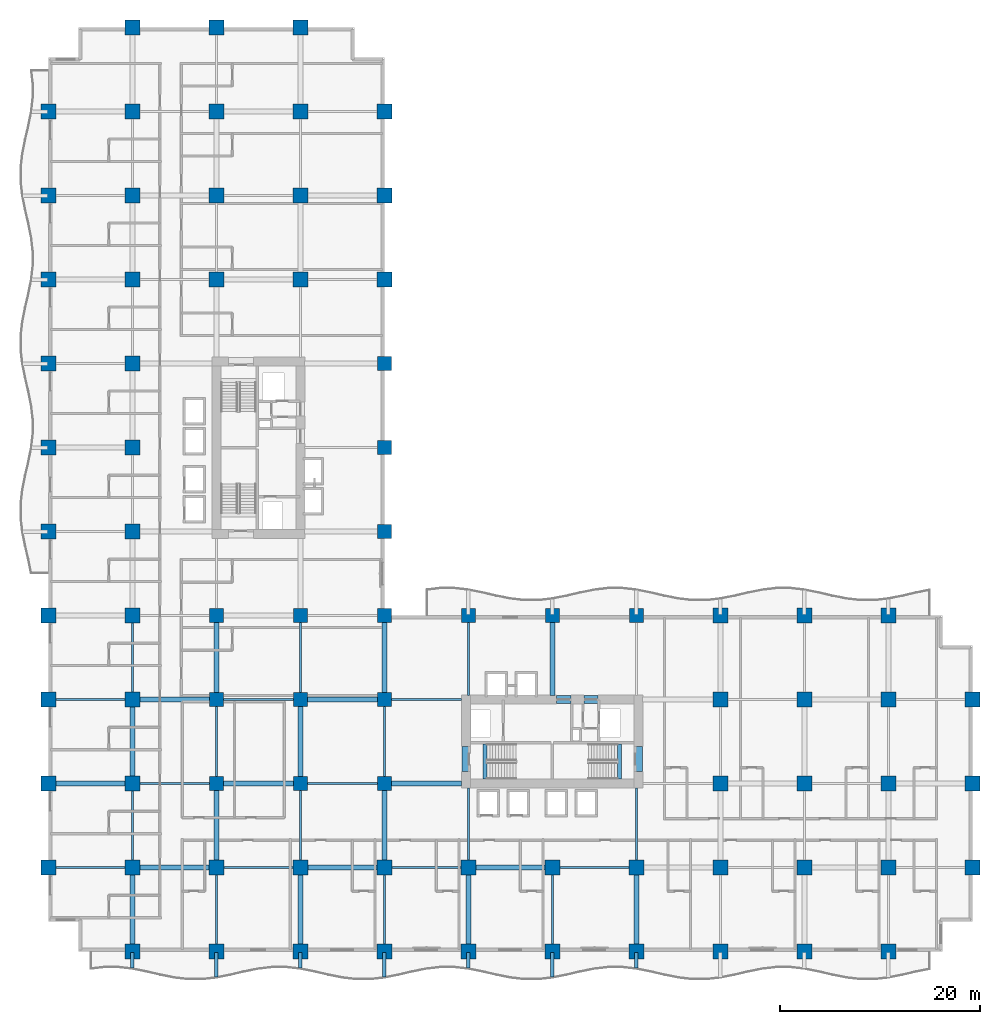
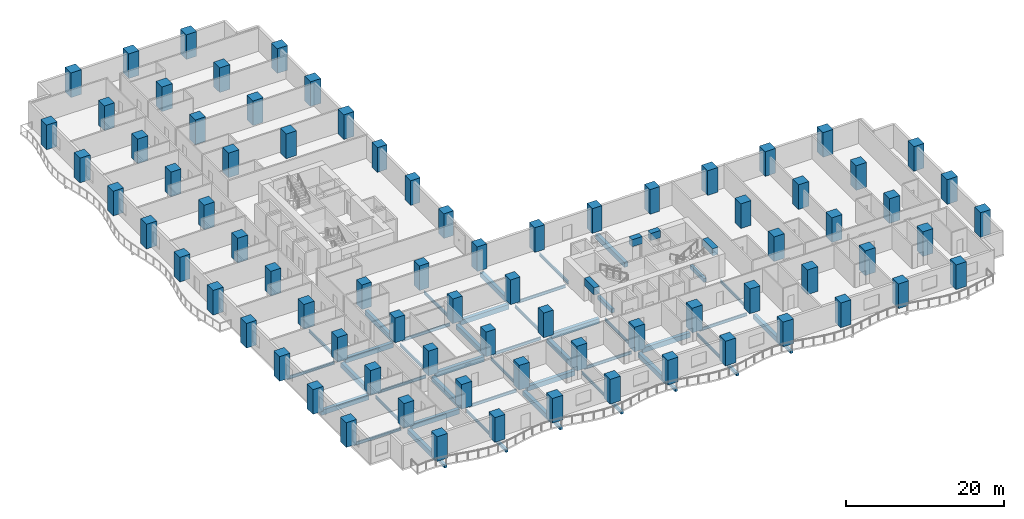
# One storey, part 1 of 20: 78 columns, 53 beams.
"""IFC4 building model written with IfcOpenShell, lengths in metres."""

from ifc_helpers import new_model, si_unit, direction, frame, origin, origin_2d, place, context, subcontext, project, spatial, rectangle, i_section, extrude, material, material_profile, profile_set, type_object, element, save


model = new_model("IFC4")

# Units and contexts
model_context = context("Model", 3, precision=1e-05, world=origin(), true_north=direction((0.0, 1.0)))
body_context = subcontext(model_context, "Body", "Model", "MODEL_VIEW")
ifc_project = project(units=[si_unit("LENGTHUNIT", "METRE"), si_unit("AREAUNIT", "SQUARE_METRE"), si_unit("VOLUMEUNIT", "CUBIC_METRE"), si_unit("PLANEANGLEUNIT", "RADIAN"), si_unit("MASSUNIT", "GRAM", prefix="KILO")], contexts=[model_context])

# Site, building, storey
site_placement = place(None, origin())
site = spatial("IfcSite", under=ifc_project, at=site_placement, CompositionType="ELEMENT")
building_placement = place(site_placement, origin())
building = spatial("IfcBuilding", under=site, at=building_placement, Name="Koriwani Terraces Tower", CompositionType="ELEMENT")
storey_placement = place(building_placement, frame((0.0, 0.0, 35.800048828125)))
storey = spatial("IfcBuildingStorey", under=building, at=storey_placement, Name="L07", CompositionType="ELEMENT", Elevation=35.800048828125)

# Columns
ifc_material_1 = material(Name="Concrete C60/75", Category="concrete")
ifc_material_profile_1 = material_profile(ifc_material_1, rectangle(XDim=1.39990234375, YDim=1.39990234375, at=origin_2d()), Name="Concrete C60/75", Category="LoadBearing")
ifc_profile_set_1 = profile_set([ifc_material_profile_1], Name="Concrete C60/75")
column_type_1 = type_object("IfcColumnType", Name="COL_RC_1400X1400", PredefinedType="COLUMN", material=ifc_profile_set_1)
for number, where, z_axis, x_axis, name in (
    (1, (16.800048828125, 16.800048828125, 0.0), (0.0, 0.0, 1.0), (1.0, 0.0, 0.0), "L07 Column 3/C"),
    (2, (16.800048828125, 25.199951171875, 0.0), (0.0, 0.0, 1.0), (1.0, 0.0, 0.0), "L07 Column 3/D"),
    (3, (16.800048828125, 33.60009765625, 0.0), (0.0, 0.0, 1.0), (1.0, 0.0, 0.0), "L07 Column 3/E"),
    (4, (25.199951171875, 16.800048828125, 0.0), (0.0, 0.0, 1.0), (1.0, 0.0, 0.0), "L07 Column 4/C"),
    (5, (25.199951171875, 25.199951171875, 0.0), (0.0, 0.0, 1.0), (1.0, 0.0, 0.0), "L07 Column 4/D"),
    (6, (25.199951171875, 33.60009765625, 0.0), (0.0, 0.0, 1.0), (1.0, 0.0, 0.0), "L07 Column 4/E"),
    (7, (33.60009765625, 16.800048828125, 0.0), (0.0, 0.0, 1.0), (1.0, 0.0, 0.0), "L07 Column 5/C"),
    (8, (33.60009765625, 25.199951171875, 0.0), (0.0, 0.0, 1.0), (1.0, 0.0, 0.0), "L07 Column 5/D"),
    (9, (33.60009765625, 33.60009765625, 0.0), (0.0, 0.0, 1.0), (1.0, 0.0, 0.0), "L07 Column 5/E"),
    (10, (33.60009765625, 42.0, 0.0), (0.0, 0.0, 1.0), (1.0, 0.0, 0.0), "L07 Column 5/F"),
    (11, (33.60009765625, 50.39990234375, 0.0), (0.0, 0.0, 1.0), (1.0, 0.0, 0.0), "L07 Column 5/G"),
    (12, (33.60009765625, 58.800048828125, 0.0), (0.0, 0.0, 1.0), (1.0, 0.0, 0.0), "L07 Column 5/H"),
    (13, (42.0, 33.60009765625, 0.0), (0.0, 0.0, 1.0), (1.0, 0.0, 0.0), "L07 Column 6/E"),
    (14, (50.39990234375, 33.60009765625, 0.0), (0.0, 0.0, 1.0), (1.0, 0.0, 0.0), "L07 Column 7/E"),
    (15, (58.800048828125, 33.60009765625, 0.0), (0.0, 0.0, 1.0), (1.0, 0.0, 0.0), "L07 Column 8/E"),
):
    element("IfcColumn", number, at=place(storey_placement, frame(where, z_axis=z_axis, x_axis=x_axis)), inside=storey, type_object=column_type_1, Name=name, PredefinedType="COLUMN", context=body_context, shape_type="SweptSolid", body=[
        extrude(rectangle(XDim=1.39990234375, YDim=1.39990234375, at=origin_2d()), origin(), (0.0, 0.0, 1.0), 3.800048828125),
    ])
ifc_material_profile_2 = material_profile(ifc_material_1, rectangle(XDim=1.5, YDim=1.5, at=origin_2d()), Name="Concrete C60/75", Category="LoadBearing")
ifc_profile_set_2 = profile_set([ifc_material_profile_2], Name="Concrete C60/75")
column_type_2 = type_object("IfcColumnType", Name="COL_RC_1500X1500", PredefinedType="COLUMN", material=ifc_profile_set_2)
for number, where, z_axis, x_axis, name in (
    (16, (0.0, 8.39990234375, 0.0), (0.0, 0.0, 1.0), (1.0, 0.0, 0.0), "L07 Column 1/B"),
    (17, (0.0, 16.800048828125, 0.0), (0.0, 0.0, 1.0), (1.0, 0.0, 0.0), "L07 Column 1/C"),
    (18, (0.0, 25.199951171875, 0.0), (0.0, 0.0, 1.0), (1.0, 0.0, 0.0), "L07 Column 1/D"),
    (19, (0.0, 33.60009765625, 0.0), (0.0, 0.0, 1.0), (1.0, 0.0, 0.0), "L07 Column 1/E"),
    (20, (0.0, 42.0, 0.0), (0.0, 0.0, 1.0), (1.0, 0.0, 0.0), "L07 Column 1/F"),
    (21, (0.0, 50.39990234375, 0.0), (0.0, 0.0, 1.0), (1.0, 0.0, 0.0), "L07 Column 1/G"),
    (22, (0.0, 58.800048828125, 0.0), (0.0, 0.0, 1.0), (1.0, 0.0, 0.0), "L07 Column 1/H"),
    (23, (0.0, 67.199951171875, 0.0), (0.0, 0.0, 1.0), (1.0, 0.0, 0.0), "L07 Column 1/I"),
    (24, (0.0, 75.60009765625, 0.0), (0.0, 0.0, 1.0), (1.0, 0.0, 0.0), "L07 Column 1/J"),
    (25, (0.0, 84.0, 0.0), (0.0, 0.0, 1.0), (1.0, 0.0, 0.0), "L07 Column 1/K"),
    (26, (8.39990234375, 0.0, 0.0), (0.0, 0.0, 1.0), (1.0, 0.0, 0.0), "L07 Column 2/A"),
    (27, (8.39990234375, 8.39990234375, 0.0), (0.0, 0.0, 1.0), (1.0, 0.0, 0.0), "L07 Column 2/B"),
    (28, (8.39990234375, 16.800048828125, 0.0), (0.0, 0.0, 1.0), (1.0, 0.0, 0.0), "L07 Column 2/C"),
    (29, (8.39990234375, 25.199951171875, 0.0), (0.0, 0.0, 1.0), (1.0, 0.0, 0.0), "L07 Column 2/D"),
    (30, (8.39990234375, 33.60009765625, 0.0), (0.0, 0.0, 1.0), (1.0, 0.0, 0.0), "L07 Column 2/E"),
    (31, (8.39990234375, 42.0, 0.0), (0.0, 0.0, 1.0), (1.0, 0.0, 0.0), "L07 Column 2/F"),
    (32, (8.39990234375, 50.39990234375, 0.0), (0.0, 0.0, 1.0), (1.0, 0.0, 0.0), "L07 Column 2/G"),
    (33, (8.39990234375, 58.800048828125, 0.0), (0.0, 0.0, 1.0), (1.0, 0.0, 0.0), "L07 Column 2/H"),
    (34, (8.39990234375, 67.199951171875, 0.0), (0.0, 0.0, 1.0), (1.0, 0.0, 0.0), "L07 Column 2/I"),
    (35, (8.39990234375, 75.60009765625, 0.0), (0.0, 0.0, 1.0), (1.0, 0.0, 0.0), "L07 Column 2/J"),
    (36, (8.39990234375, 84.0, 0.0), (0.0, 0.0, 1.0), (1.0, 0.0, 0.0), "L07 Column 2/K"),
    (37, (8.39990234375, 92.39990234375, 0.0), (0.0, 0.0, 1.0), (1.0, 0.0, 0.0), "L07 Column 2/L"),
    (38, (16.800048828125, 0.0, 0.0), (0.0, 0.0, 1.0), (1.0, 0.0, 0.0), "L07 Column 3/A"),
    (39, (16.800048828125, 8.39990234375, 0.0), (0.0, 0.0, 1.0), (1.0, 0.0, 0.0), "L07 Column 3/B"),
    (40, (16.800048828125, 67.199951171875, 0.0), (0.0, 0.0, 1.0), (1.0, 0.0, 0.0), "L07 Column 3/I"),
    (41, (16.800048828125, 75.60009765625, 0.0), (0.0, 0.0, 1.0), (1.0, 0.0, 0.0), "L07 Column 3/J"),
    (42, (16.800048828125, 84.0, 0.0), (0.0, 0.0, 1.0), (1.0, 0.0, 0.0), "L07 Column 3/K"),
    (43, (16.800048828125, 92.39990234375, 0.0), (0.0, 0.0, 1.0), (1.0, 0.0, 0.0), "L07 Column 3/L"),
    (44, (25.199951171875, 0.0, 0.0), (0.0, 0.0, 1.0), (1.0, 0.0, 0.0), "L07 Column 4/A"),
    (45, (25.199951171875, 8.39990234375, 0.0), (0.0, 0.0, 1.0), (1.0, 0.0, 0.0), "L07 Column 4/B"),
    (46, (25.199951171875, 67.199951171875, 0.0), (0.0, 0.0, 1.0), (1.0, 0.0, 0.0), "L07 Column 4/I"),
    (47, (25.199951171875, 75.60009765625, 0.0), (0.0, 0.0, 1.0), (1.0, 0.0, 0.0), "L07 Column 4/J"),
    (48, (25.199951171875, 84.0, 0.0), (0.0, 0.0, 1.0), (1.0, 0.0, 0.0), "L07 Column 4/K"),
    (49, (25.199951171875, 92.39990234375, 0.0), (0.0, 0.0, 1.0), (1.0, 0.0, 0.0), "L07 Column 4/L"),
    (50, (33.60009765625, 0.0, 0.0), (0.0, 0.0, 1.0), (1.0, 0.0, 0.0), "L07 Column 5/A"),
    (51, (33.60009765625, 8.39990234375, 0.0), (0.0, 0.0, 1.0), (1.0, 0.0, 0.0), "L07 Column 5/B"),
    (52, (33.60009765625, 67.199951171875, 0.0), (0.0, 0.0, 1.0), (1.0, 0.0, 0.0), "L07 Column 5/I"),
    (53, (33.60009765625, 75.60009765625, 0.0), (0.0, 0.0, 1.0), (1.0, 0.0, 0.0), "L07 Column 5/J"),
    (54, (33.60009765625, 84.0, 0.0), (0.0, 0.0, 1.0), (1.0, 0.0, 0.0), "L07 Column 5/K"),
    (55, (42.0, 0.0, 0.0), (0.0, 0.0, 1.0), (1.0, 0.0, 0.0), "L07 Column 6/A"),
    (56, (42.0, 8.39990234375, 0.0), (0.0, 0.0, 1.0), (1.0, 0.0, 0.0), "L07 Column 6/B"),
    (57, (50.39990234375, 0.0, 0.0), (0.0, 0.0, 1.0), (1.0, 0.0, 0.0), "L07 Column 7/A"),
    (58, (50.39990234375, 8.39990234375, 0.0), (0.0, 0.0, 1.0), (1.0, 0.0, 0.0), "L07 Column 7/B"),
    (59, (58.800048828125, 0.0, 0.0), (0.0, 0.0, 1.0), (1.0, 0.0, 0.0), "L07 Column 8/A"),
    (60, (58.800048828125, 8.39990234375, 0.0), (0.0, 0.0, 1.0), (1.0, 0.0, 0.0), "L07 Column 8/B"),
    (61, (67.199951171875, 0.0, 0.0), (0.0, 0.0, 1.0), (1.0, 0.0, 0.0), "L07 Column 9/A"),
    (62, (67.199951171875, 8.39990234375, 0.0), (0.0, 0.0, 1.0), (1.0, 0.0, 0.0), "L07 Column 9/B"),
    (63, (67.199951171875, 16.800048828125, 0.0), (0.0, 0.0, 1.0), (1.0, 0.0, 0.0), "L07 Column 9/C"),
    (64, (67.199951171875, 25.199951171875, 0.0), (0.0, 0.0, 1.0), (1.0, 0.0, 0.0), "L07 Column 9/D"),
    (65, (67.199951171875, 33.60009765625, 0.0), (0.0, 0.0, 1.0), (1.0, 0.0, 0.0), "L07 Column 9/E"),
    (66, (75.60009765625, 0.0, 0.0), (0.0, 0.0, 1.0), (1.0, 0.0, 0.0), "L07 Column 10/A"),
    (67, (75.60009765625, 8.39990234375, 0.0), (0.0, 0.0, 1.0), (1.0, 0.0, 0.0), "L07 Column 10/B"),
    (68, (75.60009765625, 16.800048828125, 0.0), (0.0, 0.0, 1.0), (1.0, 0.0, 0.0), "L07 Column 10/C"),
    (69, (75.60009765625, 25.199951171875, 0.0), (0.0, 0.0, 1.0), (1.0, 0.0, 0.0), "L07 Column 10/D"),
    (70, (75.60009765625, 33.60009765625, 0.0), (0.0, 0.0, 1.0), (1.0, 0.0, 0.0), "L07 Column 10/E"),
    (71, (84.0, 0.0, 0.0), (0.0, 0.0, 1.0), (1.0, 0.0, 0.0), "L07 Column 11/A"),
    (72, (84.0, 8.39990234375, 0.0), (0.0, 0.0, 1.0), (1.0, 0.0, 0.0), "L07 Column 11/B"),
    (73, (84.0, 16.800048828125, 0.0), (0.0, 0.0, 1.0), (1.0, 0.0, 0.0), "L07 Column 11/C"),
    (74, (84.0, 25.199951171875, 0.0), (0.0, 0.0, 1.0), (1.0, 0.0, 0.0), "L07 Column 11/D"),
    (75, (84.0, 33.60009765625, 0.0), (0.0, 0.0, 1.0), (1.0, 0.0, 0.0), "L07 Column 11/E"),
    (76, (92.39990234375, 8.39990234375, 0.0), (0.0, 0.0, 1.0), (1.0, 0.0, 0.0), "L07 Column 12/B"),
    (77, (92.39990234375, 16.800048828125, 0.0), (0.0, 0.0, 1.0), (1.0, 0.0, 0.0), "L07 Column 12/C"),
    (78, (92.39990234375, 25.199951171875, 0.0), (0.0, 0.0, 1.0), (1.0, 0.0, 0.0), "L07 Column 12/D"),
):
    element("IfcColumn", number, at=place(storey_placement, frame(where, z_axis=z_axis, x_axis=x_axis)), inside=storey, type_object=column_type_2, Name=name, PredefinedType="COLUMN", context=body_context, shape_type="SweptSolid", body=[
        extrude(rectangle(XDim=1.5, YDim=1.5, at=origin_2d()), origin(), (0.0, 0.0, 1.0), 3.800048828125),
    ])

# Beams
ifc_material_2 = material(Name="Concrete C40/50", Category="concrete")
ifc_material_profile_3 = material_profile(ifc_material_2, rectangle(XDim=0.35009765625, YDim=0.449951171875, at=origin_2d()), Name="Concrete C40/50", Category="LoadBearing")
ifc_profile_set_3 = profile_set([ifc_material_profile_3], Name="Concrete C40/50")
beam_type_1 = type_object("IfcBeamType", Name="BEAM_RC_BALCONY_RIB_350X450", PredefinedType="JOIST", material=ifc_profile_set_3)
beam_1_placement = place(storey_placement, frame((8.39990234375, -1.633056640625, -0.47509765625), z_axis=(0.0, 1.0, 0.0), x_axis=(-1.0, 0.0, 0.0)))
element("IfcBeam", 79, at=beam_1_placement, inside=storey, type_object=beam_type_1, Name="L07 Balcony Bracket Rib S-1", PredefinedType="JOIST", context=body_context, shape_type="SweptSolid", body=[
    extrude(rectangle(XDim=0.35009765625, YDim=0.449951171875, at=origin_2d()), origin(), (0.0, 0.0, 1.0), 1.532958984375),
])
beam_2_placement = place(storey_placement, frame((16.800048828125, -2.516845703125, -0.47509765625), z_axis=(0.0, 1.0, 0.0), x_axis=(-1.0, 0.0, 0.0)))
element("IfcBeam", 80, at=beam_2_placement, inside=storey, type_object=beam_type_1, Name="L07 Balcony Bracket Rib S-2", PredefinedType="JOIST", context=body_context, shape_type="SweptSolid", body=[
    extrude(rectangle(XDim=0.35009765625, YDim=0.449951171875, at=origin_2d()), origin(), (0.0, 0.0, 1.0), 2.416748046875),
])
beam_3_placement = place(storey_placement, frame((25.199951171875, -1.633056640625, -0.47509765625), z_axis=(0.0, 1.0, 0.0), x_axis=(-1.0, 0.0, 0.0)))
element("IfcBeam", 81, at=beam_3_placement, inside=storey, type_object=beam_type_1, Name="L07 Balcony Bracket Rib S-3", PredefinedType="JOIST", context=body_context, shape_type="SweptSolid", body=[
    extrude(rectangle(XDim=0.35009765625, YDim=0.449951171875, at=origin_2d()), origin(), (0.0, 0.0, 1.0), 1.532958984375),
])
beam_4_placement = place(storey_placement, frame((33.60009765625, -2.516845703125, -0.47509765625), z_axis=(0.0, 1.0, 0.0), x_axis=(-1.0, 0.0, 0.0)))
element("IfcBeam", 82, at=beam_4_placement, inside=storey, type_object=beam_type_1, Name="L07 Balcony Bracket Rib S-4", PredefinedType="JOIST", context=body_context, shape_type="SweptSolid", body=[
    extrude(rectangle(XDim=0.35009765625, YDim=0.449951171875, at=origin_2d()), origin(), (0.0, 0.0, 1.0), 2.416748046875),
])
beam_5_placement = place(storey_placement, frame((42.0, -1.633056640625, -0.47509765625), z_axis=(0.0, 1.0, 0.0), x_axis=(-1.0, 0.0, 0.0)))
element("IfcBeam", 83, at=beam_5_placement, inside=storey, type_object=beam_type_1, Name="L07 Balcony Bracket Rib S-5", PredefinedType="JOIST", context=body_context, shape_type="SweptSolid", body=[
    extrude(rectangle(XDim=0.35009765625, YDim=0.449951171875, at=origin_2d()), origin(), (0.0, 0.0, 1.0), 1.532958984375),
])
beam_6_placement = place(storey_placement, frame((50.39990234375, -2.516845703125, -0.47509765625), z_axis=(0.0, 1.0, 0.0), x_axis=(-1.0, 0.0, 0.0)))
element("IfcBeam", 84, at=beam_6_placement, inside=storey, type_object=beam_type_1, Name="L07 Balcony Bracket Rib S-6", PredefinedType="JOIST", context=body_context, shape_type="SweptSolid", body=[
    extrude(rectangle(XDim=0.35009765625, YDim=0.449951171875, at=origin_2d()), origin(), (0.0, 0.0, 1.0), 2.416748046875),
])
beam_7_placement = place(storey_placement, frame((58.800048828125, -1.633056640625, -0.47509765625), z_axis=(0.0, 1.0, 0.0), x_axis=(-1.0, 0.0, 0.0)))
element("IfcBeam", 85, at=beam_7_placement, inside=storey, type_object=beam_type_1, Name="L07 Balcony Bracket Rib S-7", PredefinedType="JOIST", context=body_context, shape_type="SweptSolid", body=[
    extrude(rectangle(XDim=0.35009765625, YDim=0.449951171875, at=origin_2d()), origin(), (0.0, 0.0, 1.0), 1.532958984375),
])
ifc_material_profile_4 = material_profile(ifc_material_1, rectangle(XDim=0.800048828125, YDim=1.10009765625, at=origin_2d()), Name="Concrete C60/75", Category="LoadBearing")
ifc_profile_set_4 = profile_set([ifc_material_profile_4], Name="Concrete C60/75")
beam_type_2 = type_object("IfcBeamType", Name="BEAM_RC_COUPLING_800X1100", PredefinedType="LINTEL", material=ifc_profile_set_4)
beam_8_placement = place(storey_placement, frame((50.800048828125, 25.199951171875, 3.0), z_axis=(1.0, 0.0, 0.0), x_axis=(0.0, 1.0, 0.0)))
element("IfcBeam", 86, at=beam_8_placement, inside=storey, type_object=beam_type_2, Name="L07 Core Coupling Lintel Beam EN1", PredefinedType="LINTEL", context=body_context, shape_type="SweptSolid", body=[
    extrude(rectangle(XDim=0.800048828125, YDim=1.10009765625, at=origin_2d()), origin(), (0.0, 0.0, 1.0), 1.47998046875),
])
beam_9_placement = place(storey_placement, frame((53.550048828125, 25.199951171875, 3.0), z_axis=(1.0, 0.0, 0.0), x_axis=(0.0, 1.0, 0.0)))
element("IfcBeam", 87, at=beam_9_placement, inside=storey, type_object=beam_type_2, Name="L07 Core Coupling Lintel Beam EN2", PredefinedType="LINTEL", context=body_context, shape_type="SweptSolid", body=[
    extrude(rectangle(XDim=0.800048828125, YDim=1.10009765625, at=origin_2d()), origin(), (0.0, 0.0, 1.0), 1.39990234375),
])
for number, where, z_axis, x_axis, name in (
    (88, (41.75, 18.0, 3.0), (0.0, 1.0, 0.0), (-1.0, 0.0, 0.0), "L07 Core Coupling Lintel Beam EW"),
    (89, (59.0, 18.0, 3.0), (0.0, 1.0, 0.0), (-1.0, 0.0, 0.0), "L07 Core Coupling Lintel Beam EE"),
):
    element("IfcBeam", number, at=place(storey_placement, frame(where, z_axis=z_axis, x_axis=x_axis)), inside=storey, type_object=beam_type_2, Name=name, PredefinedType="LINTEL", context=body_context, shape_type="SweptSolid", body=[
        extrude(rectangle(XDim=0.800048828125, YDim=1.10009765625, at=origin_2d()), origin(), (0.0, 0.0, 1.0), 2.5),
    ])
ifc_material_profile_5 = material_profile(ifc_material_2, rectangle(XDim=0.39990234375, YDim=0.60009765625, at=origin_2d()), Name="Concrete C40/50", Category="LoadBearing")
ifc_profile_set_5 = profile_set([ifc_material_profile_5], Name="Concrete C40/50")
beam_type_3 = type_object("IfcBeamType", Name="BEAM_RC_GRID_400X600", PredefinedType="BEAM", material=ifc_profile_set_5)
for number, where, z_axis, x_axis, name in (
    (90, (43.655029296875, 17.25, -0.300048828125), (0.0, 1.0, 0.0), (-1.0, 0.0, 0.0), "L07 Stairwell Header Trimmer Beam ST-E1"),
    (91, (57.094970703125, 17.25, -0.300048828125), (0.0, 1.0, 0.0), (-1.0, 0.0, 0.0), "L07 Stairwell Header Trimmer Beam ST-E2"),
):
    element("IfcBeam", number, at=place(storey_placement, frame(where, z_axis=z_axis, x_axis=x_axis)), inside=storey, type_object=beam_type_3, Name=name, PredefinedType="BEAM", context=body_context, shape_type="SweptSolid", body=[
        extrude(rectangle(XDim=0.39990234375, YDim=0.60009765625, at=origin_2d()), origin(), (0.0, 0.0, 1.0), 3.5),
    ])
ifc_material_3 = material(Name="Concrete C50/60", Category="concrete")
ifc_material_profile_6 = material_profile(ifc_material_3, rectangle(XDim=0.5, YDim=0.75, at=origin_2d()), Name="Concrete C50/60", Category="LoadBearing")
ifc_profile_set_6 = profile_set([ifc_material_profile_6], Name="Concrete C50/60")
beam_type_4 = type_object("IfcBeamType", Name="BEAM_RC_GRID_500X750", PredefinedType="BEAM", material=ifc_profile_set_6)
for number, where, z_axis, x_axis, name in (
    (92, (9.1298828125, 8.39990234375, -0.625), (1.0, 0.0, 0.0), (0.0, 1.0, 0.0), "L07 Grid Beam B (8.4-16.8m)"),
    (93, (25.929931640625, 8.39990234375, -0.625), (1.0, 0.0, 0.0), (0.0, 1.0, 0.0), "L07 Grid Beam B (25.2-33.6m)"),
):
    element("IfcBeam", number, at=place(storey_placement, frame(where, z_axis=z_axis, x_axis=x_axis)), inside=storey, type_object=beam_type_4, Name=name, PredefinedType="BEAM", context=body_context, shape_type="SweptSolid", body=[
        extrude(rectangle(XDim=0.5, YDim=0.75, at=origin_2d()), origin(), (0.0, 0.0, 1.0), 6.940185546875),
    ])
for number, where, z_axis, x_axis, name in (
    (94, (42.72998046875, 8.39990234375, -0.625), (1.0, 0.0, 0.0), (0.0, 1.0, 0.0), "L07 Grid Beam B (42.0-50.4m)"),
    (95, (0.72998046875, 16.800048828125, -0.625), (1.0, 0.0, 0.0), (0.0, 1.0, 0.0), "L07 Grid Beam C (0.0-8.4m)"),
):
    element("IfcBeam", number, at=place(storey_placement, frame(where, z_axis=z_axis, x_axis=x_axis)), inside=storey, type_object=beam_type_4, Name=name, PredefinedType="BEAM", context=body_context, shape_type="SweptSolid", body=[
        extrude(rectangle(XDim=0.5, YDim=0.75, at=origin_2d()), origin(), (0.0, 0.0, 1.0), 6.93994140625),
    ])
for number, where, z_axis, x_axis, name in (
    (96, (17.47998046875, 16.800048828125, -0.625), (1.0, 0.0, 0.0), (0.0, 1.0, 0.0), "L07 Grid Beam C (16.8-25.2m)"),
    (97, (34.280029296875, 16.800048828125, -0.625), (1.0, 0.0, 0.0), (0.0, 1.0, 0.0), "L07 Grid Beam C (33.6-42.0m)"),
):
    element("IfcBeam", number, at=place(storey_placement, frame(where, z_axis=z_axis, x_axis=x_axis)), inside=storey, type_object=beam_type_4, Name=name, PredefinedType="BEAM", context=body_context, shape_type="SweptSolid", body=[
        extrude(rectangle(XDim=0.5, YDim=0.75, at=origin_2d()), origin(), (0.0, 0.0, 1.0), 7.0400390625),
    ])
beam_10_placement = place(storey_placement, frame((9.1298828125, 25.199951171875, -0.625), z_axis=(1.0, 0.0, 0.0), x_axis=(0.0, 1.0, 0.0)))
element("IfcBeam", 98, at=beam_10_placement, inside=storey, type_object=beam_type_4, Name="L07 Grid Beam D (8.4-16.8m)", PredefinedType="BEAM", context=body_context, shape_type="SweptSolid", body=[
    extrude(rectangle(XDim=0.5, YDim=0.75, at=origin_2d()), origin(), (0.0, 0.0, 1.0), 6.990234375),
])
beam_11_placement = place(storey_placement, frame((25.8798828125, 25.199951171875, -0.625), z_axis=(1.0, 0.0, 0.0), x_axis=(0.0, 1.0, 0.0)))
element("IfcBeam", 99, at=beam_11_placement, inside=storey, type_object=beam_type_4, Name="L07 Grid Beam D (25.2-33.6m)", PredefinedType="BEAM", context=body_context, shape_type="SweptSolid", body=[
    extrude(rectangle(XDim=0.5, YDim=0.75, at=origin_2d()), origin(), (0.0, 0.0, 1.0), 7.0400390625),
])
for number, where, z_axis, x_axis, name in (
    (100, (8.39990234375, 0.72998046875, -0.625), (0.0, 1.0, 0.0), (-1.0, 0.0, 0.0), "L07 Grid Beam 2 (0.0-8.4m)"),
    (101, (8.39990234375, 17.530029296875, -0.625), (0.0, 1.0, 0.0), (-1.0, 0.0, 0.0), "L07 Grid Beam 2 (16.8-25.2m)"),
):
    element("IfcBeam", number, at=place(storey_placement, frame(where, z_axis=z_axis, x_axis=x_axis)), inside=storey, type_object=beam_type_4, Name=name, PredefinedType="BEAM", context=body_context, shape_type="SweptSolid", body=[
        extrude(rectangle(XDim=0.5, YDim=0.75, at=origin_2d()), origin(), (0.0, 0.0, 1.0), 6.93994140625),
    ])
beam_12_placement = place(storey_placement, frame((16.800048828125, 9.1298828125, -0.625), z_axis=(0.0, 1.0, 0.0), x_axis=(-1.0, 0.0, 0.0)))
element("IfcBeam", 102, at=beam_12_placement, inside=storey, type_object=beam_type_4, Name="L07 Grid Beam 3 (8.4-16.8m)", PredefinedType="BEAM", context=body_context, shape_type="SweptSolid", body=[
    extrude(rectangle(XDim=0.5, YDim=0.75, at=origin_2d()), origin(), (0.0, 0.0, 1.0), 6.990234375),
])
beam_13_placement = place(storey_placement, frame((16.800048828125, 25.8798828125, -0.625), z_axis=(0.0, 1.0, 0.0), x_axis=(-1.0, 0.0, 0.0)))
element("IfcBeam", 103, at=beam_13_placement, inside=storey, type_object=beam_type_4, Name="L07 Grid Beam 3 (25.2-33.6m)", PredefinedType="BEAM", context=body_context, shape_type="SweptSolid", body=[
    extrude(rectangle(XDim=0.5, YDim=0.75, at=origin_2d()), origin(), (0.0, 0.0, 1.0), 7.0400390625),
])
beam_14_placement = place(storey_placement, frame((25.199951171875, 0.72998046875, -0.625), z_axis=(0.0, 1.0, 0.0), x_axis=(-1.0, 0.0, 0.0)))
element("IfcBeam", 104, at=beam_14_placement, inside=storey, type_object=beam_type_4, Name="L07 Grid Beam 4 (0.0-8.4m)", PredefinedType="BEAM", context=body_context, shape_type="SweptSolid", body=[
    extrude(rectangle(XDim=0.5, YDim=0.75, at=origin_2d()), origin(), (0.0, 0.0, 1.0), 6.93994140625),
])
beam_15_placement = place(storey_placement, frame((25.199951171875, 17.47998046875, -0.625), z_axis=(0.0, 1.0, 0.0), x_axis=(-1.0, 0.0, 0.0)))
element("IfcBeam", 105, at=beam_15_placement, inside=storey, type_object=beam_type_4, Name="L07 Grid Beam 4 (16.8-25.2m)", PredefinedType="BEAM", context=body_context, shape_type="SweptSolid", body=[
    extrude(rectangle(XDim=0.5, YDim=0.75, at=origin_2d()), origin(), (0.0, 0.0, 1.0), 7.0400390625),
])
beam_16_placement = place(storey_placement, frame((33.60009765625, 9.1298828125, -0.625), z_axis=(0.0, 1.0, 0.0), x_axis=(-1.0, 0.0, 0.0)))
element("IfcBeam", 106, at=beam_16_placement, inside=storey, type_object=beam_type_4, Name="L07 Grid Beam 5 (8.4-16.8m)", PredefinedType="BEAM", context=body_context, shape_type="SweptSolid", body=[
    extrude(rectangle(XDim=0.5, YDim=0.75, at=origin_2d()), origin(), (0.0, 0.0, 1.0), 6.990234375),
])
beam_17_placement = place(storey_placement, frame((33.60009765625, 25.8798828125, -0.625), z_axis=(0.0, 1.0, 0.0), x_axis=(-1.0, 0.0, 0.0)))
element("IfcBeam", 107, at=beam_17_placement, inside=storey, type_object=beam_type_4, Name="L07 Grid Beam 5 (25.2-33.6m)", PredefinedType="BEAM", context=body_context, shape_type="SweptSolid", body=[
    extrude(rectangle(XDim=0.5, YDim=0.75, at=origin_2d()), origin(), (0.0, 0.0, 1.0), 7.0400390625),
])
beam_18_placement = place(storey_placement, frame((42.0, 0.72998046875, -0.625), z_axis=(0.0, 1.0, 0.0), x_axis=(-1.0, 0.0, 0.0)))
element("IfcBeam", 108, at=beam_18_placement, inside=storey, type_object=beam_type_4, Name="L07 Grid Beam 6 (0.0-8.4m)", PredefinedType="BEAM", context=body_context, shape_type="SweptSolid", body=[
    extrude(rectangle(XDim=0.5, YDim=0.75, at=origin_2d()), origin(), (0.0, 0.0, 1.0), 6.93994140625),
])
beam_19_placement = place(storey_placement, frame((50.39990234375, 25.6298828125, -0.625), z_axis=(0.0, 1.0, 0.0), x_axis=(-1.0, 0.0, 0.0)))
element("IfcBeam", 109, at=beam_19_placement, inside=storey, type_object=beam_type_4, Name="L07 Grid Beam 7 (25.2-33.6m)", PredefinedType="BEAM", context=body_context, shape_type="SweptSolid", body=[
    extrude(rectangle(XDim=0.5, YDim=0.75, at=origin_2d()), origin(), (0.0, 0.0, 1.0), 7.2900390625),
])
beam_20_placement = place(storey_placement, frame((58.800048828125, 0.72998046875, -0.625), z_axis=(0.0, 1.0, 0.0), x_axis=(-1.0, 0.0, 0.0)))
element("IfcBeam", 110, at=beam_20_placement, inside=storey, type_object=beam_type_4, Name="L07 Grid Beam 8 (0.0-8.4m)", PredefinedType="BEAM", context=body_context, shape_type="SweptSolid", body=[
    extrude(rectangle(XDim=0.5, YDim=0.75, at=origin_2d()), origin(), (0.0, 0.0, 1.0), 6.93994140625),
])
ifc_material_4 = material(Name="Steel ASTM A572 Grade 50", Category="steel")
ifc_material_profile_7 = material_profile(ifc_material_4, i_section(OverallWidth=0.19189453125, OverallDepth=0.462890625, WebThickness=0.010498046875, FlangeThickness=0.01611328125, at=origin_2d()), Name="Steel ASTM A572 Grade 50", Category="LoadBearing")
ifc_profile_set_7 = profile_set([ifc_material_profile_7], Name="Steel ASTM A572 Grade 50")
beam_type_5 = type_object("IfcBeamType", Name="STEEL_BEAM_W460X89", PredefinedType="BEAM", material=ifc_profile_set_7)
for number, where, z_axis, x_axis, name in (
    (111, (0.72998046875, 8.39990234375, -0.4814453125), (1.0, 0.0, 0.0), (0.0, 1.0, 0.0), "L07 Grid Beam B (0.0-8.4m)"),
    (112, (17.530029296875, 8.39990234375, -0.4814453125), (1.0, 0.0, 0.0), (0.0, 1.0, 0.0), "L07 Grid Beam B (16.8-25.2m)"),
    (113, (34.330078125, 8.39990234375, -0.4814453125), (1.0, 0.0, 0.0), (0.0, 1.0, 0.0), "L07 Grid Beam B (33.6-42.0m)"),
):
    element("IfcBeam", number, at=place(storey_placement, frame(where, z_axis=z_axis, x_axis=x_axis)), inside=storey, type_object=beam_type_5, Name=name, PredefinedType="BEAM", context=body_context, shape_type="SweptSolid", body=[
        extrude(i_section(OverallWidth=0.19189453125, OverallDepth=0.462890625, WebThickness=0.010498046875, FlangeThickness=0.01611328125, at=origin_2d()), origin(), (0.0, 0.0, 1.0), 6.93994140625),
    ])
beam_21_placement = place(storey_placement, frame((51.1298828125, 8.39990234375, -0.4814453125), z_axis=(1.0, 0.0, 0.0), x_axis=(0.0, 1.0, 0.0)))
element("IfcBeam", 114, at=beam_21_placement, inside=storey, type_object=beam_type_5, Name="L07 Grid Beam B (50.4-58.8m)", PredefinedType="BEAM", context=body_context, shape_type="SweptSolid", body=[
    extrude(i_section(OverallWidth=0.19189453125, OverallDepth=0.462890625, WebThickness=0.010498046875, FlangeThickness=0.01611328125, at=origin_2d()), origin(), (0.0, 0.0, 1.0), 6.940185546875),
])
beam_22_placement = place(storey_placement, frame((9.1298828125, 16.800048828125, -0.4814453125), z_axis=(1.0, 0.0, 0.0), x_axis=(0.0, 1.0, 0.0)))
element("IfcBeam", 115, at=beam_22_placement, inside=storey, type_object=beam_type_5, Name="L07 Grid Beam C (8.4-16.8m)", PredefinedType="BEAM", context=body_context, shape_type="SweptSolid", body=[
    extrude(i_section(OverallWidth=0.19189453125, OverallDepth=0.462890625, WebThickness=0.010498046875, FlangeThickness=0.01611328125, at=origin_2d()), origin(), (0.0, 0.0, 1.0), 6.990234375),
])
beam_23_placement = place(storey_placement, frame((25.8798828125, 16.800048828125, -0.4814453125), z_axis=(1.0, 0.0, 0.0), x_axis=(0.0, 1.0, 0.0)))
element("IfcBeam", 116, at=beam_23_placement, inside=storey, type_object=beam_type_5, Name="L07 Grid Beam C (25.2-33.6m)", PredefinedType="BEAM", context=body_context, shape_type="SweptSolid", body=[
    extrude(i_section(OverallWidth=0.19189453125, OverallDepth=0.462890625, WebThickness=0.010498046875, FlangeThickness=0.01611328125, at=origin_2d()), origin(), (0.0, 0.0, 1.0), 7.0400390625),
])
beam_24_placement = place(storey_placement, frame((0.72998046875, 25.199951171875, -0.4814453125), z_axis=(1.0, 0.0, 0.0), x_axis=(0.0, 1.0, 0.0)))
element("IfcBeam", 117, at=beam_24_placement, inside=storey, type_object=beam_type_5, Name="L07 Grid Beam D (0.0-8.4m)", PredefinedType="BEAM", context=body_context, shape_type="SweptSolid", body=[
    extrude(i_section(OverallWidth=0.19189453125, OverallDepth=0.462890625, WebThickness=0.010498046875, FlangeThickness=0.01611328125, at=origin_2d()), origin(), (0.0, 0.0, 1.0), 6.93994140625),
])
for number, where, z_axis, x_axis, name in (
    (118, (17.47998046875, 25.199951171875, -0.4814453125), (1.0, 0.0, 0.0), (0.0, 1.0, 0.0), "L07 Grid Beam D (16.8-25.2m)"),
    (119, (34.280029296875, 25.199951171875, -0.4814453125), (1.0, 0.0, 0.0), (0.0, 1.0, 0.0), "L07 Grid Beam D (33.6-42.0m)"),
):
    element("IfcBeam", number, at=place(storey_placement, frame(where, z_axis=z_axis, x_axis=x_axis)), inside=storey, type_object=beam_type_5, Name=name, PredefinedType="BEAM", context=body_context, shape_type="SweptSolid", body=[
        extrude(i_section(OverallWidth=0.19189453125, OverallDepth=0.462890625, WebThickness=0.010498046875, FlangeThickness=0.01611328125, at=origin_2d()), origin(), (0.0, 0.0, 1.0), 7.0400390625),
    ])
for number, where, z_axis, x_axis, name in (
    (120, (8.39990234375, 9.1298828125, -0.4814453125), (0.0, 1.0, 0.0), (-1.0, 0.0, 0.0), "L07 Grid Beam 2 (8.4-16.8m)"),
    (121, (8.39990234375, 25.929931640625, -0.4814453125), (0.0, 1.0, 0.0), (-1.0, 0.0, 0.0), "L07 Grid Beam 2 (25.2-33.6m)"),
):
    element("IfcBeam", number, at=place(storey_placement, frame(where, z_axis=z_axis, x_axis=x_axis)), inside=storey, type_object=beam_type_5, Name=name, PredefinedType="BEAM", context=body_context, shape_type="SweptSolid", body=[
        extrude(i_section(OverallWidth=0.19189453125, OverallDepth=0.462890625, WebThickness=0.010498046875, FlangeThickness=0.01611328125, at=origin_2d()), origin(), (0.0, 0.0, 1.0), 6.940185546875),
    ])
beam_25_placement = place(storey_placement, frame((16.800048828125, 0.72998046875, -0.4814453125), z_axis=(0.0, 1.0, 0.0), x_axis=(-1.0, 0.0, 0.0)))
element("IfcBeam", 122, at=beam_25_placement, inside=storey, type_object=beam_type_5, Name="L07 Grid Beam 3 (0.0-8.4m)", PredefinedType="BEAM", context=body_context, shape_type="SweptSolid", body=[
    extrude(i_section(OverallWidth=0.19189453125, OverallDepth=0.462890625, WebThickness=0.010498046875, FlangeThickness=0.01611328125, at=origin_2d()), origin(), (0.0, 0.0, 1.0), 6.93994140625),
])
beam_26_placement = place(storey_placement, frame((16.800048828125, 17.47998046875, -0.4814453125), z_axis=(0.0, 1.0, 0.0), x_axis=(-1.0, 0.0, 0.0)))
element("IfcBeam", 123, at=beam_26_placement, inside=storey, type_object=beam_type_5, Name="L07 Grid Beam 3 (16.8-25.2m)", PredefinedType="BEAM", context=body_context, shape_type="SweptSolid", body=[
    extrude(i_section(OverallWidth=0.19189453125, OverallDepth=0.462890625, WebThickness=0.010498046875, FlangeThickness=0.01611328125, at=origin_2d()), origin(), (0.0, 0.0, 1.0), 7.0400390625),
])
beam_27_placement = place(storey_placement, frame((25.199951171875, 9.1298828125, -0.4814453125), z_axis=(0.0, 1.0, 0.0), x_axis=(-1.0, 0.0, 0.0)))
element("IfcBeam", 124, at=beam_27_placement, inside=storey, type_object=beam_type_5, Name="L07 Grid Beam 4 (8.4-16.8m)", PredefinedType="BEAM", context=body_context, shape_type="SweptSolid", body=[
    extrude(i_section(OverallWidth=0.19189453125, OverallDepth=0.462890625, WebThickness=0.010498046875, FlangeThickness=0.01611328125, at=origin_2d()), origin(), (0.0, 0.0, 1.0), 6.990234375),
])
beam_28_placement = place(storey_placement, frame((25.199951171875, 25.8798828125, -0.4814453125), z_axis=(0.0, 1.0, 0.0), x_axis=(-1.0, 0.0, 0.0)))
element("IfcBeam", 125, at=beam_28_placement, inside=storey, type_object=beam_type_5, Name="L07 Grid Beam 4 (25.2-33.6m)", PredefinedType="BEAM", context=body_context, shape_type="SweptSolid", body=[
    extrude(i_section(OverallWidth=0.19189453125, OverallDepth=0.462890625, WebThickness=0.010498046875, FlangeThickness=0.01611328125, at=origin_2d()), origin(), (0.0, 0.0, 1.0), 7.0400390625),
])
beam_29_placement = place(storey_placement, frame((33.60009765625, 0.72998046875, -0.4814453125), z_axis=(0.0, 1.0, 0.0), x_axis=(-1.0, 0.0, 0.0)))
element("IfcBeam", 126, at=beam_29_placement, inside=storey, type_object=beam_type_5, Name="L07 Grid Beam 5 (0.0-8.4m)", PredefinedType="BEAM", context=body_context, shape_type="SweptSolid", body=[
    extrude(i_section(OverallWidth=0.19189453125, OverallDepth=0.462890625, WebThickness=0.010498046875, FlangeThickness=0.01611328125, at=origin_2d()), origin(), (0.0, 0.0, 1.0), 6.93994140625),
])
beam_30_placement = place(storey_placement, frame((33.60009765625, 17.47998046875, -0.4814453125), z_axis=(0.0, 1.0, 0.0), x_axis=(-1.0, 0.0, 0.0)))
element("IfcBeam", 127, at=beam_30_placement, inside=storey, type_object=beam_type_5, Name="L07 Grid Beam 5 (16.8-25.2m)", PredefinedType="BEAM", context=body_context, shape_type="SweptSolid", body=[
    extrude(i_section(OverallWidth=0.19189453125, OverallDepth=0.462890625, WebThickness=0.010498046875, FlangeThickness=0.01611328125, at=origin_2d()), origin(), (0.0, 0.0, 1.0), 7.0400390625),
])
beam_31_placement = place(storey_placement, frame((42.0, 9.1298828125, -0.4814453125), z_axis=(0.0, 1.0, 0.0), x_axis=(-1.0, 0.0, 0.0)))
element("IfcBeam", 128, at=beam_31_placement, inside=storey, type_object=beam_type_5, Name="L07 Grid Beam 6 (8.4-16.8m)", PredefinedType="BEAM", context=body_context, shape_type="SweptSolid", body=[
    extrude(i_section(OverallWidth=0.19189453125, OverallDepth=0.462890625, WebThickness=0.010498046875, FlangeThickness=0.01611328125, at=origin_2d()), origin(), (0.0, 0.0, 1.0), 7.240234375),
])
beam_32_placement = place(storey_placement, frame((42.0, 25.6298828125, -0.4814453125), z_axis=(0.0, 1.0, 0.0), x_axis=(-1.0, 0.0, 0.0)))
element("IfcBeam", 129, at=beam_32_placement, inside=storey, type_object=beam_type_5, Name="L07 Grid Beam 6 (25.2-33.6m)", PredefinedType="BEAM", context=body_context, shape_type="SweptSolid", body=[
    extrude(i_section(OverallWidth=0.19189453125, OverallDepth=0.462890625, WebThickness=0.010498046875, FlangeThickness=0.01611328125, at=origin_2d()), origin(), (0.0, 0.0, 1.0), 7.2900390625),
])
beam_33_placement = place(storey_placement, frame((50.39990234375, 0.72998046875, -0.4814453125), z_axis=(0.0, 1.0, 0.0), x_axis=(-1.0, 0.0, 0.0)))
element("IfcBeam", 130, at=beam_33_placement, inside=storey, type_object=beam_type_5, Name="L07 Grid Beam 7 (0.0-8.4m)", PredefinedType="BEAM", context=body_context, shape_type="SweptSolid", body=[
    extrude(i_section(OverallWidth=0.19189453125, OverallDepth=0.462890625, WebThickness=0.010498046875, FlangeThickness=0.01611328125, at=origin_2d()), origin(), (0.0, 0.0, 1.0), 6.93994140625),
])
beam_34_placement = place(storey_placement, frame((58.800048828125, 9.1298828125, -0.4814453125), z_axis=(0.0, 1.0, 0.0), x_axis=(-1.0, 0.0, 0.0)))
element("IfcBeam", 131, at=beam_34_placement, inside=storey, type_object=beam_type_5, Name="L07 Grid Beam 8 (8.4-16.8m)", PredefinedType="BEAM", context=body_context, shape_type="SweptSolid", body=[
    extrude(i_section(OverallWidth=0.19189453125, OverallDepth=0.462890625, WebThickness=0.010498046875, FlangeThickness=0.01611328125, at=origin_2d()), origin(), (0.0, 0.0, 1.0), 7.240234375),
])

save(model, "model.ifc")
